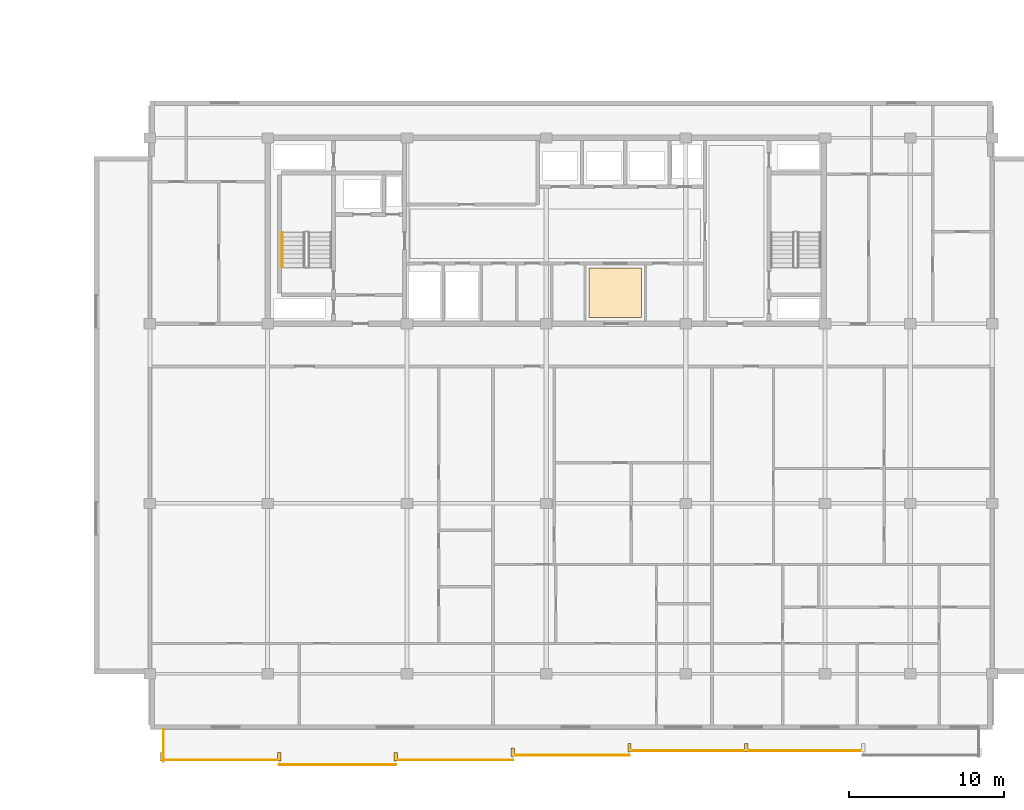
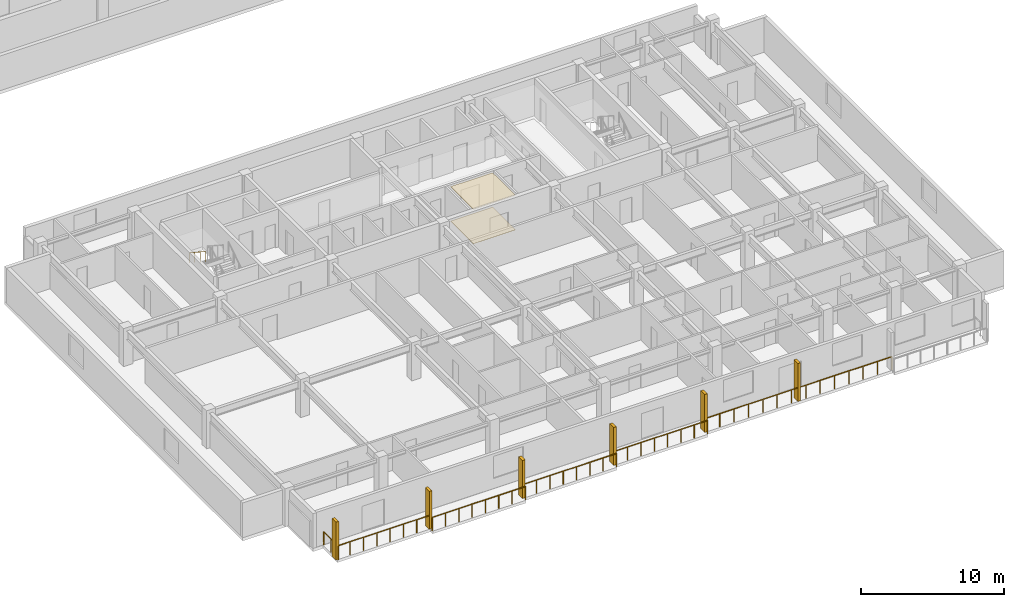
# One storey, part 28 of 32: 7 railings, 6 shading devices, 2 coverings.
"""IFC4 building model written with IfcOpenShell, lengths in metres."""

from ifc_helpers import new_model, si_unit, direction, frame, origin, origin_2d, place, context, subcontext, project, spatial, polyline, rectangle, circle, outline, extrude, material, layer, layer_set, type_object, element, save


model = new_model("IFC4")

# Units and contexts
model_context = context("Model", 3, precision=1e-05, world=origin(), true_north=direction((0.0, 1.0)))
body_context = subcontext(model_context, "Body", "Model", "MODEL_VIEW")
ifc_project = project(units=[si_unit("LENGTHUNIT", "METRE"), si_unit("AREAUNIT", "SQUARE_METRE"), si_unit("VOLUMEUNIT", "CUBIC_METRE"), si_unit("PLANEANGLEUNIT", "RADIAN"), si_unit("MASSUNIT", "GRAM", prefix="KILO")], contexts=[model_context])

# Site, building, storey
site_placement = place(None, origin())
site = spatial("IfcSite", under=ifc_project, at=site_placement, CompositionType="ELEMENT")
building_placement = place(site_placement, origin())
building = spatial("IfcBuilding", under=site, at=building_placement, Name="Korimba Cascade Residences", CompositionType="ELEMENT")
storey_placement = place(building_placement, frame((0.0, 0.0, 178.35009765625)))
storey = spatial("IfcBuildingStorey", under=building, at=storey_placement, Name="L51", CompositionType="ELEMENT", Elevation=178.35009765625)

# Coverings
ifc_material_1 = material(Name="Perforated Acoustic Gypsum Ceiling", Category="gypsum")
ifc_layer_1 = layer(ifc_material_1, 0.02490234375)
ifc_layer_set_1 = layer_set([ifc_layer_1], Name="Perforated Acoustic Gypsum Ceiling")
covering_type_1 = type_object("IfcCoveringType", Name="COV-CLG-AC", PredefinedType="CEILING", material=ifc_layer_set_1)
covering_1_placement = place(storey_placement, frame((0.0, 0.0, 2.94482421875)))
element("IfcCovering", 1, at=covering_1_placement, inside=storey, type_object=covering_type_1, Name="L51 Suspended Acoustic Ceiling L51-LT2", PredefinedType="CEILING", context=body_context, shape_type="SweptSolid", body=[
    extrude(outline(polyline([(102.85009765625, 18.800048828125), (106.25, 18.800048828125), (106.25, 22.0), (102.85009765625, 22.0), (102.85009765625, 18.800048828125)])), origin(), (0.0, 0.0, 1.0), 0.025146484375),
])
ifc_material_2 = material(Name="Honed Travertine Stone Flooring", Category="masonry")
ifc_layer_2 = layer(ifc_material_2, 0.02490234375)
ifc_layer_set_2 = layer_set([ifc_layer_2], Name="Honed Travertine Stone Flooring")
covering_type_2 = type_object("IfcCoveringType", Name="COV-FLR-STN", PredefinedType="FLOORING", material=ifc_layer_set_2)
covering_2_placement = place(storey_placement, origin())
element("IfcCovering", 2, at=covering_2_placement, inside=storey, type_object=covering_type_2, Name="L51 Honed Travertine Stone Flooring L51-LT2", PredefinedType="FLOORING", context=body_context, shape_type="SweptSolid", body=[
    extrude(outline(polyline([(102.85009765625, 18.800048828125), (106.25, 18.800048828125), (106.25, 22.0), (102.85009765625, 22.0), (102.85009765625, 18.800048828125)])), origin(), (0.0, 0.0, 1.0), 0.02490234375),
])

# Railings
ifc_material_3 = material(Name="Laminated Glass and Bronze Balustrade", Category="glass")
railing_type_1 = type_object("IfcRailingType", Name="RLG-LOG-1150", PredefinedType="BALUSTRADE", material=ifc_material_3)
railing_1_placement = place(storey_placement, frame((75.300048828125, -9.77001953125, 0.0)))
element("IfcRailing", 3, at=railing_1_placement, inside=storey, type_object=railing_type_1, Name="L51 Perimeter Guardrail RLG-L51-T2-LOG-01", PredefinedType="BALUSTRADE", context=body_context, shape_type="SweptSolid", body=[
    extrude(circle(Radius=0.02392578125, at=origin_2d()), frame((0.0, 0.0, 1.1259765625), z_axis=(1.0, 0.0, 0.0), x_axis=(0.0, 1.0, 0.0)), (0.0, 0.0, 1.0), 7.54296875),
    extrude(circle(Radius=0.02099609375, at=origin_2d()), origin(), (0.0, 0.0, 1.0), 1.101806640625),
    extrude(circle(Radius=0.02099609375, at=origin_2d()), frame((1.07763671875, 0.0, 0.0)), (0.0, 0.0, 1.0), 1.101806640625),
    extrude(circle(Radius=0.02099609375, at=origin_2d()), frame((2.155029296875, 0.0, 0.0)), (0.0, 0.0, 1.0), 1.101806640625),
    extrude(circle(Radius=0.02099609375, at=origin_2d()), frame((3.232666015625, 0.0, 0.0)), (0.0, 0.0, 1.0), 1.101806640625),
    extrude(circle(Radius=0.02099609375, at=origin_2d()), frame((4.310302734375, 0.0, 0.0)), (0.0, 0.0, 1.0), 1.101806640625),
    extrude(circle(Radius=0.02099609375, at=origin_2d()), frame((5.387939453125, 0.0, 0.0)), (0.0, 0.0, 1.0), 1.101806640625),
    extrude(circle(Radius=0.02099609375, at=origin_2d()), frame((6.46533203125, 0.0, 0.0)), (0.0, 0.0, 1.0), 1.101806640625),
    extrude(circle(Radius=0.02099609375, at=origin_2d()), frame((7.54296875, 0.0, 0.0)), (0.0, 0.0, 1.0), 1.101806640625),
])
railing_2_placement = place(storey_placement, frame((82.843017578125, -10.070068359375, 0.0)))
element("IfcRailing", 4, at=railing_2_placement, inside=storey, type_object=railing_type_1, Name="L51 Perimeter Guardrail RLG-L51-T2-LOG-02", PredefinedType="BALUSTRADE", context=body_context, shape_type="SweptSolid", body=[
    extrude(circle(Radius=0.02392578125, at=origin_2d()), frame((0.0, 0.0, 1.1259765625), z_axis=(1.0, 0.0, 0.0), x_axis=(0.0, 1.0, 0.0)), (0.0, 0.0, 1.0), 7.542724609375),
    extrude(circle(Radius=0.02099609375, at=origin_2d()), origin(), (0.0, 0.0, 1.0), 1.101806640625),
    extrude(circle(Radius=0.02099609375, at=origin_2d()), frame((1.07763671875, 0.0, 0.0)), (0.0, 0.0, 1.0), 1.101806640625),
    extrude(circle(Radius=0.02099609375, at=origin_2d()), frame((2.155029296875, 0.0, 0.0)), (0.0, 0.0, 1.0), 1.101806640625),
    extrude(circle(Radius=0.02099609375, at=origin_2d()), frame((3.232666015625, 0.0, 0.0)), (0.0, 0.0, 1.0), 1.101806640625),
    extrude(circle(Radius=0.02099609375, at=origin_2d()), frame((4.31005859375, 0.0, 0.0)), (0.0, 0.0, 1.0), 1.101806640625),
    extrude(circle(Radius=0.02099609375, at=origin_2d()), frame((5.3876953125, 0.0, 0.0)), (0.0, 0.0, 1.0), 1.101806640625),
    extrude(circle(Radius=0.02099609375, at=origin_2d()), frame((6.465087890625, 0.0, 0.0)), (0.0, 0.0, 1.0), 1.101806640625),
    extrude(circle(Radius=0.02099609375, at=origin_2d()), frame((7.542724609375, 0.0, 0.0)), (0.0, 0.0, 1.0), 1.101806640625),
])
railing_3_placement = place(storey_placement, frame((90.3857421875, -9.77001953125, 0.0)))
element("IfcRailing", 5, at=railing_3_placement, inside=storey, type_object=railing_type_1, Name="L51 Perimeter Guardrail RLG-L51-T2-LOG-03", PredefinedType="BALUSTRADE", context=body_context, shape_type="SweptSolid", body=[
    extrude(circle(Radius=0.02392578125, at=origin_2d()), frame((0.0, 0.0, 1.1259765625), z_axis=(1.0, 0.0, 0.0), x_axis=(0.0, 1.0, 0.0)), (0.0, 0.0, 1.0), 7.54296875),
    extrude(circle(Radius=0.02099609375, at=origin_2d()), origin(), (0.0, 0.0, 1.0), 1.101806640625),
    extrude(circle(Radius=0.02099609375, at=origin_2d()), frame((1.07763671875, 0.0, 0.0)), (0.0, 0.0, 1.0), 1.101806640625),
    extrude(circle(Radius=0.02099609375, at=origin_2d()), frame((2.155029296875, 0.0, 0.0)), (0.0, 0.0, 1.0), 1.101806640625),
    extrude(circle(Radius=0.02099609375, at=origin_2d()), frame((3.232666015625, 0.0, 0.0)), (0.0, 0.0, 1.0), 1.101806640625),
    extrude(circle(Radius=0.02099609375, at=origin_2d()), frame((4.310302734375, 0.0, 0.0)), (0.0, 0.0, 1.0), 1.101806640625),
    extrude(circle(Radius=0.02099609375, at=origin_2d()), frame((5.387939453125, 0.0, 0.0)), (0.0, 0.0, 1.0), 1.101806640625),
    extrude(circle(Radius=0.02099609375, at=origin_2d()), frame((6.46533203125, 0.0, 0.0)), (0.0, 0.0, 1.0), 1.101806640625),
    extrude(circle(Radius=0.02099609375, at=origin_2d()), frame((7.54296875, 0.0, 0.0)), (0.0, 0.0, 1.0), 1.101806640625),
])
railing_4_placement = place(storey_placement, frame((97.9287109375, -9.469970703125, 0.0)))
element("IfcRailing", 6, at=railing_4_placement, inside=storey, type_object=railing_type_1, Name="L51 Perimeter Guardrail RLG-L51-T2-LOG-04", PredefinedType="BALUSTRADE", context=body_context, shape_type="SweptSolid", body=[
    extrude(circle(Radius=0.02392578125, at=origin_2d()), frame((0.0, 0.0, 1.1259765625), z_axis=(1.0, 0.0, 0.0), x_axis=(0.0, 1.0, 0.0)), (0.0, 0.0, 1.0), 7.542724609375),
    extrude(circle(Radius=0.02099609375, at=origin_2d()), origin(), (0.0, 0.0, 1.0), 1.101806640625),
    extrude(circle(Radius=0.02099609375, at=origin_2d()), frame((1.07763671875, 0.0, 0.0)), (0.0, 0.0, 1.0), 1.101806640625),
    extrude(circle(Radius=0.02099609375, at=origin_2d()), frame((2.155029296875, 0.0, 0.0)), (0.0, 0.0, 1.0), 1.101806640625),
    extrude(circle(Radius=0.02099609375, at=origin_2d()), frame((3.232666015625, 0.0, 0.0)), (0.0, 0.0, 1.0), 1.101806640625),
    extrude(circle(Radius=0.02099609375, at=origin_2d()), frame((4.31005859375, 0.0, 0.0)), (0.0, 0.0, 1.0), 1.101806640625),
    extrude(circle(Radius=0.02099609375, at=origin_2d()), frame((5.3876953125, 0.0, 0.0)), (0.0, 0.0, 1.0), 1.101806640625),
    extrude(circle(Radius=0.02099609375, at=origin_2d()), frame((6.465087890625, 0.0, 0.0)), (0.0, 0.0, 1.0), 1.101806640625),
    extrude(circle(Radius=0.02099609375, at=origin_2d()), frame((7.542724609375, 0.0, 0.0)), (0.0, 0.0, 1.0), 1.101806640625),
])
railing_5_placement = place(storey_placement, frame((105.471435546875, -9.169921875, 0.0)))
element("IfcRailing", 7, at=railing_5_placement, inside=storey, type_object=railing_type_1, Name="L51 Perimeter Guardrail RLG-L51-T2-LOG-05", PredefinedType="BALUSTRADE", context=body_context, shape_type="SweptSolid", body=[
    extrude(circle(Radius=0.02392578125, at=origin_2d()), frame((0.0, 0.0, 1.1259765625), z_axis=(1.0, 0.0, 0.0), x_axis=(0.0, 1.0, 0.0)), (0.0, 0.0, 1.0), 15.085693359375),
    extrude(circle(Radius=0.02099609375, at=origin_2d()), origin(), (0.0, 0.0, 1.0), 1.101806640625),
    extrude(circle(Radius=0.02099609375, at=origin_2d()), frame((1.160400390625, 0.0, 0.0)), (0.0, 0.0, 1.0), 1.101806640625),
    extrude(circle(Radius=0.02099609375, at=origin_2d()), frame((2.32080078125, 0.0, 0.0)), (0.0, 0.0, 1.0), 1.101806640625),
    extrude(circle(Radius=0.02099609375, at=origin_2d()), frame((3.481201171875, 0.0, 0.0)), (0.0, 0.0, 1.0), 1.101806640625),
    extrude(circle(Radius=0.02099609375, at=origin_2d()), frame((4.641845703125, 0.0, 0.0)), (0.0, 0.0, 1.0), 1.101806640625),
    extrude(circle(Radius=0.02099609375, at=origin_2d()), frame((5.80224609375, 0.0, 0.0)), (0.0, 0.0, 1.0), 1.101806640625),
    extrude(circle(Radius=0.02099609375, at=origin_2d()), frame((6.962646484375, 0.0, 0.0)), (0.0, 0.0, 1.0), 1.101806640625),
    extrude(circle(Radius=0.02099609375, at=origin_2d()), frame((8.123046875, 0.0, 0.0)), (0.0, 0.0, 1.0), 1.101806640625),
    extrude(circle(Radius=0.02099609375, at=origin_2d()), frame((9.283447265625, 0.0, 0.0)), (0.0, 0.0, 1.0), 1.101806640625),
    extrude(circle(Radius=0.02099609375, at=origin_2d()), frame((10.44384765625, 0.0, 0.0)), (0.0, 0.0, 1.0), 1.101806640625),
    extrude(circle(Radius=0.02099609375, at=origin_2d()), frame((11.6044921875, 0.0, 0.0)), (0.0, 0.0, 1.0), 1.101806640625),
    extrude(circle(Radius=0.02099609375, at=origin_2d()), frame((12.764892578125, 0.0, 0.0)), (0.0, 0.0, 1.0), 1.101806640625),
    extrude(circle(Radius=0.02099609375, at=origin_2d()), frame((13.92529296875, 0.0, 0.0)), (0.0, 0.0, 1.0), 1.101806640625),
    extrude(circle(Radius=0.02099609375, at=origin_2d()), frame((15.085693359375, 0.0, 0.0)), (0.0, 0.0, 1.0), 1.101806640625),
])
railing_6_placement = place(storey_placement, frame((75.3798828125, -7.800048828125, 0.0)))
element("IfcRailing", 8, at=railing_6_placement, inside=storey, type_object=railing_type_1, Name="L51 Perimeter Guardrail RLG-L51-T2-LOG-08", PredefinedType="BALUSTRADE", context=body_context, shape_type="SweptSolid", body=[
    extrude(circle(Radius=0.02392578125, at=origin_2d()), frame((0.0, 0.0, 1.1259765625), z_axis=(0.0, -1.0, 0.0), x_axis=(1.0, 0.0, 0.0)), (0.0, 0.0, 1.0), 2.050048828125),
    extrude(circle(Radius=0.02099609375, at=origin_2d()), origin(), (0.0, 0.0, 1.0), 1.101806640625),
    extrude(circle(Radius=0.02099609375, at=origin_2d()), frame((0.0, -1.02490234375, 0.0)), (0.0, 0.0, 1.0), 1.101806640625),
    extrude(circle(Radius=0.02099609375, at=origin_2d()), frame((0.0, -2.050048828125, 0.0)), (0.0, 0.0, 1.0), 1.101806640625),
])
ifc_material_4 = material(Name="Brushed Stainless Steel Handrail", Category="steel")
railing_type_2 = type_object("IfcRailingType", Name="RLG-ST-HR900", PredefinedType="HANDRAIL", material=ifc_material_4)
railing_7_placement = place(storey_placement, frame((83.050048828125, 24.2900390625, 1.98974609375)))
element("IfcRailing", 9, at=railing_7_placement, inside=storey, type_object=railing_type_2, Name="L51 ST-E1 stair handrail 2", PredefinedType="HANDRAIL", context=body_context, shape_type="SweptSolid", body=[
    extrude(circle(Radius=0.02392578125, at=origin_2d()), frame((0.0, 0.0, 0.8759765625), z_axis=(0.0, -0.840394893359, 0.541974559565), x_axis=(1.0, 0.0, 0.0)), (0.0, 0.0, 1.0), 2.665283203125),
    extrude(circle(Radius=0.02099609375, at=origin_2d()), origin(), (0.0, 0.0, 1.0), 0.851806640625),
    extrude(circle(Radius=0.02099609375, at=origin_2d()), frame((0.0, -0.74658203125, 0.4814453125)), (0.0, 0.0, 1.0), 0.851806640625),
    extrude(circle(Radius=0.02099609375, at=origin_2d()), frame((0.0, -1.493408203125, 0.963134765625)), (0.0, 0.0, 1.0), 0.851806640625),
    extrude(circle(Radius=0.02099609375, at=origin_2d()), frame((0.0, -2.239990234375, 1.444580078125)), (0.0, 0.0, 1.0), 0.851806640625),
])

# Shading devices
ifc_material_5 = material(Name="Honed Sandstone Precast Fin", Category="masonry")
shading_device_type = type_object("IfcShadingDeviceType", Name="SHD-FIN-550", PredefinedType="USERDEFINED", material=ifc_material_5)
for number, where, z_axis, x_axis, name in (
    (10, (75.300048828125, -9.574951171875, 0.0), (0.0, 0.0, 1.0), (1.0, 0.0, 0.0), "L51 T2 Warm-Stone Loggia Fin 1"),
    (11, (82.843017578125, -9.574951171875, 0.0), (0.0, 0.0, 1.0), (1.0, 0.0, 0.0), "L51 T2 Warm-Stone Loggia Fin 2"),
    (12, (90.3857421875, -9.574951171875, 0.0), (0.0, 0.0, 1.0), (1.0, 0.0, 0.0), "L51 T2 Warm-Stone Loggia Fin 3"),
    (13, (97.9287109375, -9.27490234375, 0.0), (0.0, 0.0, 1.0), (1.0, 0.0, 0.0), "L51 T2 Warm-Stone Loggia Fin 4"),
    (14, (105.471435546875, -8.97509765625, 0.0), (0.0, 0.0, 1.0), (1.0, 0.0, 0.0), "L51 T2 Warm-Stone Loggia Fin 5"),
    (15, (113.014404296875, -8.97509765625, 0.0), (0.0, 0.0, 1.0), (1.0, 0.0, 0.0), "L51 T2 Warm-Stone Loggia Fin 6"),
):
    element("IfcShadingDevice", number, at=place(storey_placement, frame(where, z_axis=z_axis, x_axis=x_axis)), inside=storey, type_object=shading_device_type, Name=name, ObjectType="FIN", PredefinedType="USERDEFINED", context=body_context, shape_type="SweptSolid", body=[
        extrude(rectangle(XDim=0.219970703125, YDim=0.550048828125, at=origin_2d()), origin(), (0.0, 0.0, 1.0), 3.25),
    ])

save(model, "model.ifc")
